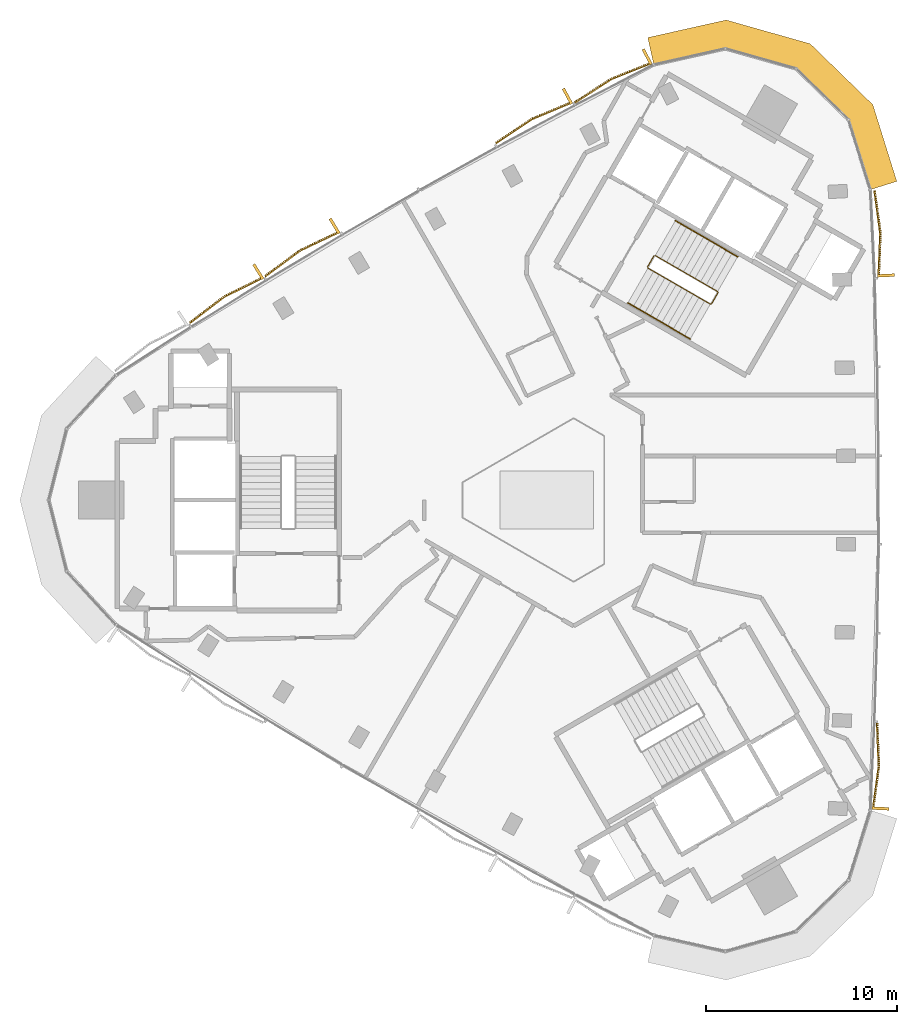
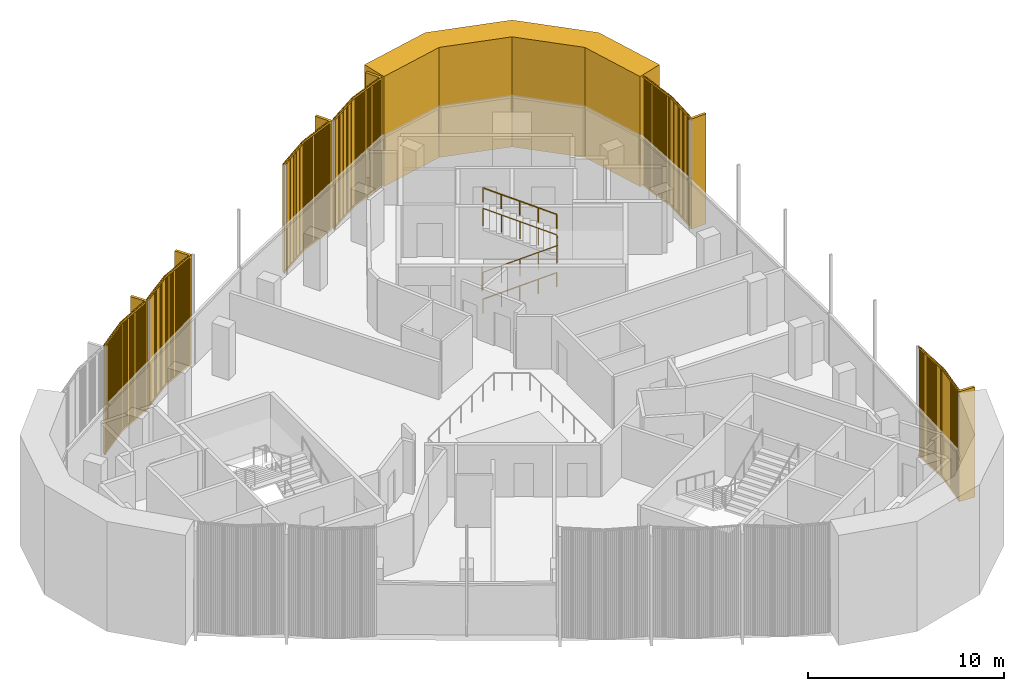
# One storey, part 12 of 12: 7 coverings, 3 railings.
"""IFC4 building model written with IfcOpenShell, lengths in metres."""

import ifcopenshell
import ifcopenshell.guid

model = None  # the IFC model being written
_history = None  # IfcOwnerHistory: only IFC2X3 demands one
_inside = {}  # id of a spatial element -> (the spatial element, [elements in it])
_under = {}  # id of a project, library or spatial element -> (it, [spatial elements below it])
_declared = {}  # id of a project -> (the project, [libraries it declares])
_typed = {}  # id of a type object -> (the type object, [elements of that type])
_made_of = {}  # id of a material, layer set ... -> (it, [elements and type objects made of it])


def new_model(schema):
    """Start an empty IFC model of exactly this schema.

    Asked for "IFC4X3", IfcOpenShell would pick the latest addendum, in which some entities
    have other attributes; the version numbers below select the first issue.
    IFC2X3 requires an IfcOwnerHistory on every rooted entity: one is made here for all.
    """
    global model, _history
    if schema == "IFC4X3":
        model = ifcopenshell.file(schema_version=(4, 3, 0, 0))
    else:
        model = ifcopenshell.file(schema=schema)
    _inside.clear()
    _under.clear()
    _declared.clear()
    _typed.clear()
    _made_of.clear()
    _history = None
    if model.schema == "IFC2X3":
        org = make("IfcOrganization", Name="unknown")
        user = make(
            "IfcPersonAndOrganization",
            ThePerson=make("IfcPerson", FamilyName="unknown"),
            TheOrganization=org,
        )
        app = make(
            "IfcApplication",
            ApplicationDeveloper=org,
            Version="unknown",
            ApplicationFullName="unknown",
            ApplicationIdentifier="unknown",
        )
        _history = make(
            "IfcOwnerHistory",
            OwningUser=user,
            OwningApplication=app,
            ChangeAction="ADDED",
            CreationDate=0,
        )
    return model


def make(cls, **values):
    """One entity of the class cls with the attributes given. An attribute that is None is left unset."""
    return model.create_entity(
        cls, **{name: value for name, value in values.items() if value is not None}
    )


def rooted(cls, **values):
    """An entity with a GlobalId (a new one), such as an element, a storey or a relation."""
    return make(cls, GlobalId=ifcopenshell.guid.new(), OwnerHistory=_history, **values)


def si_unit(unit_type, name, prefix=None):
    """IfcSIUnit, for example si_unit("LENGTHUNIT", "METRE", prefix="MILLI")."""
    return make("IfcSIUnit", UnitType=unit_type, Prefix=prefix, Name=name)


def assignment(units):
    """IfcUnitAssignment: the units of a project."""
    return None if units is None else make("IfcUnitAssignment", Units=units)


def point(xyz):
    """IfcCartesianPoint."""
    return None if xyz is None else make("IfcCartesianPoint", Coordinates=xyz)


def direction(xyz):
    """IfcDirection."""
    return None if xyz is None else make("IfcDirection", DirectionRatios=xyz)


def frame(location, z_axis=None, x_axis=None):
    """IfcAxis2Placement3D, a coordinate frame: its origin and axes. An axis left out is left unset."""
    return make(
        "IfcAxis2Placement3D",
        Location=point(location),
        Axis=direction(z_axis),
        RefDirection=direction(x_axis),
    )


def frame_2d(location, x_axis=None):
    """IfcAxis2Placement2D, a coordinate frame in the plane: its origin and x axis."""
    return make(
        "IfcAxis2Placement2D", Location=point(location), RefDirection=direction(x_axis)
    )


def origin():
    """The frame at (0, 0, 0) with its axes left unset."""
    return frame((0.0, 0.0, 0.0))


def origin_2d():
    """The frame at (0, 0) in the plane with its x axis left unset."""
    return frame_2d((0.0, 0.0))


def place(relative_to, where):
    """IfcLocalPlacement: puts the frame where relative to a parent placement (None: the world)."""
    return make(
        "IfcLocalPlacement", PlacementRelTo=relative_to, RelativePlacement=where
    )


def context(
    kind, dimensions, precision=None, world=None, true_north=None, identifier=None
):
    """IfcGeometricRepresentationContext, for example the 3D "Model" context."""
    return make(
        "IfcGeometricRepresentationContext",
        ContextIdentifier=identifier,
        ContextType=kind,
        CoordinateSpaceDimension=dimensions,
        Precision=precision,
        WorldCoordinateSystem=world,
        TrueNorth=true_north,
    )


def subcontext(parent, identifier, kind, view, scale=None):
    """IfcGeometricRepresentationSubContext, for example "Body" below "Model"."""
    return make(
        "IfcGeometricRepresentationSubContext",
        ContextIdentifier=identifier,
        ContextType=kind,
        ParentContext=parent,
        TargetScale=scale,
        TargetView=view,
    )


def project(units=None, contexts=None):
    """IfcProject with its units and contexts."""
    return rooted(
        "IfcProject",
        Name="project",
        RepresentationContexts=contexts,
        UnitsInContext=assignment(units),
    )


def spatial(cls, under=None, at=None, **own):
    """A site, building, storey or space (cls), placed at a placement, below another one or the project."""
    s = rooted(cls, ObjectPlacement=at, **own)
    if under is not None:
        _under.setdefault(under.id(), (under, []))[1].append(s)
    return s


def polyline(points):
    """IfcPolyline through the points."""
    return make("IfcPolyline", Points=[point(p) for p in points])


def profile(cls, at=None, kind="AREA", **sizes):
    """A parametric profile (cls). Its sizes go by their IFC names, for example OverallWidth=200.0."""
    return make(cls, ProfileType=kind, Position=at, **sizes)


def rectangle(**sizes):
    """IfcRectangleProfileDef."""
    return profile("IfcRectangleProfileDef", **sizes)


def circle(**sizes):
    """IfcCircleProfileDef."""
    return profile("IfcCircleProfileDef", **sizes)


def outline(outer, holes=None, kind="AREA"):
    """IfcArbitraryClosedProfileDef: a profile drawn as a closed curve; with holes, ...WithVoids."""
    if holes is None:
        return make("IfcArbitraryClosedProfileDef", ProfileType=kind, OuterCurve=outer)
    return make(
        "IfcArbitraryProfileDefWithVoids",
        ProfileType=kind,
        OuterCurve=outer,
        InnerCurves=holes,
    )


def extrude(swept, where, along, depth):
    """IfcExtrudedAreaSolid: the profile swept, set in the frame where, extruded along a direction by depth."""
    return make(
        "IfcExtrudedAreaSolid",
        SweptArea=swept,
        Position=where,
        ExtrudedDirection=direction(along),
        Depth=depth,
    )


def shape(context_of_items, identifier, shape_type, items):
    """IfcShapeRepresentation: the items that make up one representation, for example the "Body"."""
    return make(
        "IfcShapeRepresentation",
        ContextOfItems=context_of_items,
        RepresentationIdentifier=identifier,
        RepresentationType=shape_type,
        Items=items,
    )


def source(mapping_origin, context_of_items, identifier, shape_type, items):
    """IfcRepresentationMap: a shape defined once, which mapped items show again and again."""
    return make(
        "IfcRepresentationMap",
        MappingOrigin=mapping_origin,
        MappedRepresentation=shape(context_of_items, identifier, shape_type, items),
    )


def transform(
    local_origin,
    x_axis=None,
    y_axis=None,
    z_axis=None,
    scale=None,
    scale2=None,
    scale3=None,
    uniform=True,
):
    """IfcCartesianTransformationOperator3D, or its non-uniform kind. x_axis, y_axis, z_axis: its Axis1, 2, 3."""
    if uniform:
        return make(
            "IfcCartesianTransformationOperator3D",
            Axis1=direction(x_axis),
            Axis2=direction(y_axis),
            LocalOrigin=point(local_origin),
            Scale=scale,
            Axis3=direction(z_axis),
        )
    return make(
        "IfcCartesianTransformationOperator3DnonUniform",
        Axis1=direction(x_axis),
        Axis2=direction(y_axis),
        LocalOrigin=point(local_origin),
        Scale=scale,
        Axis3=direction(z_axis),
        Scale2=scale2,
        Scale3=scale3,
    )


def mapped(mapping_source, mapping_target):
    """IfcMappedItem: shows the shape of a source again, moved by a transform."""
    return make(
        "IfcMappedItem", MappingSource=mapping_source, MappingTarget=mapping_target
    )


def material(Name=None, Category=None):
    """IfcMaterial."""
    return make("IfcMaterial", Name=Name, Category=Category)


def layer(
    of_material, thickness, ventilated=None, Name=None, Category=None, Priority=None
):
    """IfcMaterialLayer: one layer of a wall or slab, of a material (None: an air gap)."""
    return make(
        "IfcMaterialLayer",
        Material=of_material,
        LayerThickness=thickness,
        IsVentilated=ventilated,
        Name=Name,
        Category=Category,
        Priority=Priority,
    )


def layer_set(layers, Name=None):
    """IfcMaterialLayerSet."""
    return make("IfcMaterialLayerSet", MaterialLayers=layers, LayerSetName=Name)


def made_of(thing, what):
    """Note that an element or type object is made of a material, layer set ...; save() writes the relation."""
    if what is not None:
        _made_of.setdefault(what.id(), (what, []))[1].append(thing)
    return thing


def type_object(cls, material=None, **own):
    """A type object (cls), such as IfcWallType, which elements share."""
    return made_of(rooted(cls, **own), material)


def element(
    cls,
    number,
    at=None,
    inside=None,
    cuts=None,
    type_object=None,
    material=None,
    context=None,
    identifier="Body",
    shape_type=None,
    held_by="IfcProductDefinitionShape",
    body=None,
    shapes=None,
    **own,
):
    """One element of the class cls, such as IfcWall. Its Tag is "e" and its number.

    at: its placement. inside: the storey or other place that contains it. cuts: it is an
    opening in that element (IfcRelVoidsElement). A single representation is given by context,
    identifier, shape_type and body (its items); several are given by shapes. held_by: the class
    of the entity that holds the representations. save() writes the other relations.
    """
    e = rooted(cls, Tag="e%d" % number, ObjectPlacement=at, **own)
    if body is not None:
        shapes = [shape(context, identifier, shape_type, body)]
    if shapes is not None:
        e.Representation = make(held_by, Representations=shapes)
    if inside is not None:
        _inside.setdefault(inside.id(), (inside, []))[1].append(e)
    if cuts is not None:
        rooted(
            "IfcRelVoidsElement", RelatingBuildingElement=cuts, RelatedOpeningElement=e
        )
    if type_object is not None:
        _typed.setdefault(type_object.id(), (type_object, []))[1].append(e)
    return made_of(e, material)


def aggregate(whole, parts):
    """IfcRelAggregates: a whole, such as a stair, and the parts it consists of."""
    return rooted("IfcRelAggregates", RelatingObject=whole, RelatedObjects=parts)


def save(model, path):
    """Write the relations noted so far, then the file.

    IfcRelAggregates (storeys below a building ...), IfcRelContainedInSpatialStructure (elements
    in a storey), IfcRelDefinesByType, IfcRelAssociatesMaterial and IfcRelDeclares: one each for
    every whole, place, type object, material and project.
    """
    for whole, parts in _under.values():
        aggregate(whole, parts)
    for where, things in _inside.values():
        rooted(
            "IfcRelContainedInSpatialStructure",
            RelatedElements=things,
            RelatingStructure=where,
        )
    for kind, things in _typed.values():
        rooted("IfcRelDefinesByType", RelatedObjects=things, RelatingType=kind)
    for what, things in _made_of.values():
        rooted("IfcRelAssociatesMaterial", RelatedObjects=things, RelatingMaterial=what)
    for by, libraries in _declared.values():
        rooted("IfcRelDeclares", RelatingContext=by, RelatedDefinitions=libraries)
    model.write(path)


model = new_model("IFC4")

# Units and contexts
model_context = context("Model", 3, precision=1e-05, world=origin(), true_north=direction((0.0, 1.0)))
body_context = subcontext(model_context, "Body", "Model", "MODEL_VIEW")
ifc_project = project(units=[si_unit("LENGTHUNIT", "METRE"), si_unit("AREAUNIT", "SQUARE_METRE"), si_unit("VOLUMEUNIT", "CUBIC_METRE"), si_unit("PLANEANGLEUNIT", "RADIAN"), si_unit("MASSUNIT", "GRAM", prefix="KILO")], contexts=[model_context])

# Site, building, storey
site_placement = place(None, origin())
site = spatial("IfcSite", under=ifc_project, at=site_placement, CompositionType="ELEMENT")
building_placement = place(site_placement, origin())
building = spatial("IfcBuilding", under=site, at=building_placement, Name="Tamra Quay Hotel Tower", CompositionType="ELEMENT")
storey_placement = place(building_placement, frame((0.0, 0.0, 262.199951171875)))
storey = spatial("IfcBuildingStorey", under=building, at=storey_placement, Name="L66", CompositionType="ELEMENT", Elevation=262.199951171875)

# Covering
ifc_material_1 = material(Name="Precast concrete M60 terracotta-coloured", Category="masonry")
ifc_layer = layer(ifc_material_1, 1.449951171875)
ifc_layer_set = layer_set([ifc_layer], Name="CORNER PIER PANEL")
covering_type_1 = type_object("IfcCoveringType", Name="CORNER PIER PANEL", PredefinedType="CLADDING", material=ifc_layer_set)
covering_placement = place(storey_placement, origin())
element("IfcCovering", 1, at=covering_placement, inside=storey, type_object=covering_type_1, Name="Corner pier L66.east", PredefinedType="CLADDING", context=body_context, shape_type="SweptSolid", body=[
    extrude(outline(polyline([(16.89990234375, 16.210205078125), (18.283935546875, 16.642822265625), (17.031494140625, 20.649169921875), (13.759521484375, 23.832275390625), (9.366943359375, 25.07421875), (5.271240234375, 24.15576171875), (5.58837890625, 22.740966796875), (9.325927734375, 23.5791015625), (13.01171875, 22.536865234375), (15.757080078125, 19.865966796875), (16.89990234375, 16.210205078125)])), origin(), (0.0, 0.0, 1.0), 6.85009765625),
])

# Railings
ifc_material_2 = material(Name="Stair guard 1100")
railing_type_1 = type_object("IfcRailingType", Name="Stair guard 1100", PredefinedType="GUARDRAIL", material=ifc_material_2)
railing_1_placement = place(storey_placement, frame((5.595458984375, 12.751953125, 0.0)))
element("IfcRailing", 2, at=railing_1_placement, inside=storey, type_object=railing_type_1, Name="GR", PredefinedType="GUARDRAIL", context=body_context, shape_type="SweptSolid", body=[
    extrude(circle(Radius=0.02392578125, at=origin_2d()), frame((0.0, 0.0, 1.076171875), z_axis=(-0.499765215335, -0.866160914346, 0.0), x_axis=(0.866160914346, -0.499765215335, 0.0)), (0.0, 0.0, 1.0), 0.658935546875),
    extrude(circle(Radius=0.02392578125, at=origin_2d()), frame((-0.329345703125, -0.57080078125, 1.076171875), z_axis=(0.110378772244, -0.410609032747, 0.905105932399), x_axis=(0.965715946433, 0.259601060869, 0.0)), (0.0, 0.0, 1.0), 0.165771484375),
    extrude(circle(Radius=0.02392578125, at=origin_2d()), frame((-0.31103515625, -0.638916015625, 1.22607421875), z_axis=(0.793078462799, -0.457933869594, 0.401650498471), x_axis=(0.500040788363, 0.866001853331, 0.0)), (0.0, 0.0, 1.0), 4.10791015625),
    extrude(circle(Radius=0.02392578125, at=origin_2d()), frame((2.94677734375, -2.52001953125, 2.8759765625), z_axis=(0.965948051503, 0.258736085224, 0.0), x_axis=(-0.258736085224, 0.965948051503, 0.0)), (0.0, 0.0, 1.0), 0.07080078125),
    extrude(circle(Radius=0.02392578125, at=origin_2d()), frame((3.01513671875, -2.501708984375, 2.8759765625), z_axis=(0.500043078269, 0.866000531106, 0.0), x_axis=(-0.866000531106, 0.500043078269, 0.0)), (0.0, 0.0, 1.0), 0.6591796875),
    extrude(circle(Radius=0.02392578125, at=origin_2d()), frame((3.3447265625, -1.930908203125, 2.8759765625), z_axis=(-0.110525977783, 0.411156637351, 0.904839338113), x_axis=(-0.965715946433, -0.259601060869, 0.0)), (0.0, 0.0, 1.0), 0.165771484375),
    extrude(circle(Radius=0.02392578125, at=origin_2d()), frame((3.326416015625, -1.86279296875, 3.02587890625), z_axis=(-0.793081581205, 0.457901355053, 0.401681409319), x_axis=(-0.500012686397, -0.866018079166, 0.0)), (0.0, 0.0, 1.0), 4.108154296875),
    extrude(circle(Radius=0.02099609375, at=origin_2d()), origin(), (0.0, 0.0, 1.0), 1.052001953125),
    extrude(circle(Radius=0.02099609375, at=origin_2d()), frame((-0.329345703125, -0.57080078125, 0.0)), (0.0, 0.0, 1.0), 1.052001953125),
    extrude(circle(Radius=0.02099609375, at=origin_2d()), frame((-0.31103515625, -0.638916015625, 0.150146484375)), (0.0, 0.0, 1.0), 1.052001953125),
    extrude(circle(Radius=0.02099609375, at=origin_2d()), frame((0.50341796875, -1.109130859375, 0.5625)), (0.0, 0.0, 1.0), 1.052001953125),
    extrude(circle(Radius=0.02099609375, at=origin_2d()), frame((1.31787109375, -1.57958984375, 0.97509765625)), (0.0, 0.0, 1.0), 1.052001953125),
    extrude(circle(Radius=0.02099609375, at=origin_2d()), frame((2.13232421875, -2.0498046875, 1.3876953125)), (0.0, 0.0, 1.0), 1.052001953125),
    extrude(circle(Radius=0.02099609375, at=origin_2d()), frame((2.94677734375, -2.52001953125, 1.800048828125)), (0.0, 0.0, 1.0), 1.052001953125),
    extrude(circle(Radius=0.02099609375, at=origin_2d()), frame((3.01513671875, -2.501708984375, 1.800048828125)), (0.0, 0.0, 1.0), 1.052001953125),
    extrude(circle(Radius=0.02099609375, at=origin_2d()), frame((3.3447265625, -1.930908203125, 1.800048828125)), (0.0, 0.0, 1.0), 1.052001953125),
    extrude(circle(Radius=0.02099609375, at=origin_2d()), frame((3.326416015625, -1.86279296875, 1.949951171875)), (0.0, 0.0, 1.0), 1.052001953125),
    extrude(circle(Radius=0.02099609375, at=origin_2d()), frame((2.511962890625, -1.392578125, 2.362548828125)), (0.0, 0.0, 1.0), 1.052001953125),
    extrude(circle(Radius=0.02099609375, at=origin_2d()), frame((1.697265625, -0.92236328125, 2.77490234375)), (0.0, 0.0, 1.0), 1.052001953125),
    extrude(circle(Radius=0.02099609375, at=origin_2d()), frame((0.8828125, -0.451904296875, 3.1875)), (0.0, 0.0, 1.0), 1.052001953125),
    extrude(circle(Radius=0.02099609375, at=origin_2d()), frame((0.068359375, 0.018310546875, 3.60009765625)), (0.0, 0.0, 1.0), 1.052001953125),
])
ifc_material_3 = material(Name="Stair handrail 900")
railing_type_2 = type_object("IfcRailingType", Name="Stair handrail 900", PredefinedType="HANDRAIL", material=ifc_material_3)
railing_2_placement = place(storey_placement, frame((4.234375, 10.294189453125, 0.150146484375)))
element("IfcRailing", 3, at=railing_2_placement, inside=storey, type_object=railing_type_2, Name="HR", PredefinedType="HANDRAIL", context=body_context, shape_type="SweptSolid", body=[
    extrude(circle(Radius=0.02392578125, at=origin_2d()), frame((0.0, 0.0, 0.8759765625), z_axis=(0.793122095483, -0.45786531462, 0.401642496911), x_axis=(0.499964013922, 0.86604617936, 0.0)), (0.0, 0.0, 1.0), 4.10791015625),
    extrude(circle(Radius=0.02099609375, at=origin_2d()), origin(), (0.0, 0.0, 1.0), 0.851806640625),
    extrude(circle(Radius=0.02099609375, at=origin_2d()), frame((0.814453125, -0.47021484375, 0.41259765625)), (0.0, 0.0, 1.0), 0.851806640625),
    extrude(circle(Radius=0.02099609375, at=origin_2d()), frame((1.62890625, -0.9404296875, 0.824951171875)), (0.0, 0.0, 1.0), 0.851806640625),
    extrude(circle(Radius=0.02099609375, at=origin_2d()), frame((2.443603515625, -1.41064453125, 1.2373046875)), (0.0, 0.0, 1.0), 0.851806640625),
    extrude(circle(Radius=0.02099609375, at=origin_2d()), frame((3.258056640625, -1.880859375, 1.64990234375)), (0.0, 0.0, 1.0), 0.851806640625),
])
railing_3_placement = place(storey_placement, frame((9.971923828125, 12.7080078125, 1.949951171875)))
element("IfcRailing", 4, at=railing_3_placement, inside=storey, type_object=railing_type_2, Name="HR", PredefinedType="HANDRAIL", context=body_context, shape_type="SweptSolid", body=[
    extrude(circle(Radius=0.02392578125, at=origin_2d()), frame((0.0, 0.0, 0.8759765625), z_axis=(-0.793103162556, 0.457854384738, 0.401692339881), x_axis=(-0.499964013922, -0.86604617936, 0.0)), (0.0, 0.0, 1.0), 4.10791015625),
    extrude(circle(Radius=0.02099609375, at=origin_2d()), origin(), (0.0, 0.0, 1.0), 0.851806640625),
    extrude(circle(Radius=0.02099609375, at=origin_2d()), frame((-0.814453125, 0.47021484375, 0.41259765625)), (0.0, 0.0, 1.0), 0.851806640625),
    extrude(circle(Radius=0.02099609375, at=origin_2d()), frame((-1.62890625, 0.9404296875, 0.8251953125)), (0.0, 0.0, 1.0), 0.851806640625),
    extrude(circle(Radius=0.02099609375, at=origin_2d()), frame((-2.443603515625, 1.41064453125, 1.237548828125)), (0.0, 0.0, 1.0), 0.851806640625),
    extrude(circle(Radius=0.02099609375, at=origin_2d()), frame((-3.258056640625, 1.880859375, 1.650146484375)), (0.0, 0.0, 1.0), 0.851806640625),
])

# Coverings
ifc_material_4 = material(Name="Terracotta baguette extruded", Category="masonry")
covering_type_2 = type_object("IfcCoveringType", Name="BAGUETTE SCREEN E-V H6850", PredefinedType="USERDEFINED", material=ifc_material_4)
shared_shape_1 = source(origin(), body_context, "Body", "SweptSolid", [
    extrude(rectangle(XDim=2.28125, YDim=0.06005859375, at=frame_2d((1.140625, 0.030029296875))), frame((-2.27783203125, -0.057861328125, -0.1201171875), z_axis=(0.0, 0.0, 1.0), x_axis=(0.996194698092, -0.087155742748, 0.0)), (0.0, 0.0, 1.0), 0.1201171875),
    extrude(rectangle(XDim=2.28125, YDim=0.06005859375, at=frame_2d((1.140625, 0.030029296875))), frame((-2.27783203125, -0.057861328125, -6.85009765625), z_axis=(0.0, 0.0, 1.0), x_axis=(0.996194698092, -0.087155742748, 0.0)), (0.0, 0.0, 1.0), 0.1201171875),
    extrude(rectangle(XDim=0.070068359375, YDim=0.10009765625, at=frame_2d((0.03515625, 0.050048828125))), frame((-2.258056640625, -0.13232421875, -6.7900390625)), (0.0, 0.0, 1.0), 6.72998046875),
    extrude(rectangle(XDim=0.070068359375, YDim=0.10009765625, at=frame_2d((0.03515625, 0.050048828125))), frame((-2.1591796875, -0.140869140625, -6.7900390625)), (0.0, 0.0, 1.0), 6.72998046875),
    extrude(rectangle(XDim=0.070068359375, YDim=0.10009765625, at=frame_2d((0.03515625, 0.050048828125))), frame((-2.060546875, -0.149658203125, -6.7900390625)), (0.0, 0.0, 1.0), 6.72998046875),
    extrude(rectangle(XDim=0.070068359375, YDim=0.10009765625, at=frame_2d((0.03515625, 0.050048828125))), frame((-1.961669921875, -0.158203125, -6.7900390625)), (0.0, 0.0, 1.0), 6.72998046875),
    extrude(rectangle(XDim=0.070068359375, YDim=0.10009765625, at=frame_2d((0.03515625, 0.050048828125))), frame((-1.86279296875, -0.1669921875, -6.7900390625)), (0.0, 0.0, 1.0), 6.72998046875),
    extrude(rectangle(XDim=0.070068359375, YDim=0.10009765625, at=frame_2d((0.03515625, 0.050048828125))), frame((-1.76416015625, -0.175537109375, -6.7900390625)), (0.0, 0.0, 1.0), 6.72998046875),
    extrude(rectangle(XDim=0.070068359375, YDim=0.10009765625, at=frame_2d((0.03515625, 0.050048828125))), frame((-1.665283203125, -0.18408203125, -6.7900390625)), (0.0, 0.0, 1.0), 6.72998046875),
    extrude(rectangle(XDim=0.070068359375, YDim=0.10009765625, at=frame_2d((0.03515625, 0.050048828125))), frame((-1.56640625, -0.19287109375, -6.7900390625)), (0.0, 0.0, 1.0), 6.72998046875),
    extrude(rectangle(XDim=0.070068359375, YDim=0.10009765625, at=frame_2d((0.03515625, 0.050048828125))), frame((-1.4677734375, -0.201416015625, -6.7900390625)), (0.0, 0.0, 1.0), 6.72998046875),
    extrude(rectangle(XDim=0.070068359375, YDim=0.10009765625, at=frame_2d((0.03515625, 0.050048828125))), frame((-1.368896484375, -0.210205078125, -6.7900390625)), (0.0, 0.0, 1.0), 6.72998046875),
    extrude(rectangle(XDim=0.070068359375, YDim=0.10009765625, at=frame_2d((0.03515625, 0.050048828125))), frame((-1.27001953125, -0.21875, -6.7900390625)), (0.0, 0.0, 1.0), 6.72998046875),
    extrude(rectangle(XDim=0.070068359375, YDim=0.10009765625, at=frame_2d((0.03515625, 0.050048828125))), frame((-1.171142578125, -0.227294921875, -6.7900390625)), (0.0, 0.0, 1.0), 6.72998046875),
    extrude(rectangle(XDim=0.070068359375, YDim=0.10009765625, at=frame_2d((0.03515625, 0.050048828125))), frame((-1.072509765625, -0.236083984375, -6.7900390625)), (0.0, 0.0, 1.0), 6.72998046875),
    extrude(rectangle(XDim=0.070068359375, YDim=0.10009765625, at=frame_2d((0.03515625, 0.050048828125))), frame((-0.9736328125, -0.24462890625, -6.7900390625)), (0.0, 0.0, 1.0), 6.72998046875),
    extrude(rectangle(XDim=0.070068359375, YDim=0.10009765625, at=frame_2d((0.03515625, 0.050048828125))), frame((-0.874755859375, -0.25341796875, -6.7900390625)), (0.0, 0.0, 1.0), 6.72998046875),
    extrude(rectangle(XDim=0.070068359375, YDim=0.10009765625, at=frame_2d((0.03515625, 0.050048828125))), frame((-0.776123046875, -0.261962890625, -6.7900390625)), (0.0, 0.0, 1.0), 6.72998046875),
    extrude(rectangle(XDim=0.070068359375, YDim=0.10009765625, at=frame_2d((0.03515625, 0.050048828125))), frame((-0.67724609375, -0.270751953125, -6.7900390625)), (0.0, 0.0, 1.0), 6.72998046875),
    extrude(rectangle(XDim=0.070068359375, YDim=0.10009765625, at=frame_2d((0.03515625, 0.050048828125))), frame((-0.578369140625, -0.279296875, -6.7900390625)), (0.0, 0.0, 1.0), 6.72998046875),
    extrude(rectangle(XDim=0.070068359375, YDim=0.10009765625, at=frame_2d((0.03515625, 0.050048828125))), frame((-0.479736328125, -0.287841796875, -6.7900390625)), (0.0, 0.0, 1.0), 6.72998046875),
    extrude(rectangle(XDim=0.070068359375, YDim=0.10009765625, at=frame_2d((0.03515625, 0.050048828125))), frame((-0.380859375, -0.296630859375, -6.7900390625)), (0.0, 0.0, 1.0), 6.72998046875),
    extrude(rectangle(XDim=0.070068359375, YDim=0.10009765625, at=frame_2d((0.03515625, 0.050048828125))), frame((-0.281982421875, -0.30517578125, -6.7900390625)), (0.0, 0.0, 1.0), 6.72998046875),
    extrude(rectangle(XDim=0.070068359375, YDim=0.10009765625, at=frame_2d((0.03515625, 0.050048828125))), frame((-0.18310546875, -0.31396484375, -6.7900390625)), (0.0, 0.0, 1.0), 6.72998046875),
    extrude(rectangle(XDim=0.070068359375, YDim=0.10009765625, at=frame_2d((0.03515625, 0.050048828125))), frame((-0.08447265625, -0.322509765625, -6.7900390625)), (0.0, 0.0, 1.0), 6.72998046875),
    extrude(rectangle(XDim=2.28125, YDim=0.06005859375, at=frame_2d((1.140625, 0.030029296875))), frame((0.005126953125, -0.256591796875, -0.1201171875), z_axis=(0.0, 0.0, 1.0), x_axis=(0.996194698092, 0.087155742748, 0.0)), (0.0, 0.0, 1.0), 0.1201171875),
    extrude(rectangle(XDim=2.28125, YDim=0.06005859375, at=frame_2d((1.140625, 0.030029296875))), frame((0.005126953125, -0.256591796875, -6.85009765625), z_axis=(0.0, 0.0, 1.0), x_axis=(0.996194698092, 0.087155742748, 0.0)), (0.0, 0.0, 1.0), 0.1201171875),
    extrude(rectangle(XDim=0.070068359375, YDim=0.10009765625, at=frame_2d((0.03515625, 0.050048828125))), frame((0.014404296875, -0.322509765625, -6.7900390625)), (0.0, 0.0, 1.0), 6.72998046875),
    extrude(rectangle(XDim=0.070068359375, YDim=0.10009765625, at=frame_2d((0.03515625, 0.050048828125))), frame((0.11328125, -0.31396484375, -6.7900390625)), (0.0, 0.0, 1.0), 6.72998046875),
    extrude(rectangle(XDim=0.070068359375, YDim=0.10009765625, at=frame_2d((0.03515625, 0.050048828125))), frame((0.2119140625, -0.30517578125, -6.7900390625)), (0.0, 0.0, 1.0), 6.72998046875),
    extrude(rectangle(XDim=0.070068359375, YDim=0.10009765625, at=frame_2d((0.03515625, 0.050048828125))), frame((0.310791015625, -0.296630859375, -6.7900390625)), (0.0, 0.0, 1.0), 6.72998046875),
    extrude(rectangle(XDim=0.070068359375, YDim=0.10009765625, at=frame_2d((0.03515625, 0.050048828125))), frame((0.40966796875, -0.287841796875, -6.7900390625)), (0.0, 0.0, 1.0), 6.72998046875),
    extrude(rectangle(XDim=0.070068359375, YDim=0.10009765625, at=frame_2d((0.03515625, 0.050048828125))), frame((0.50830078125, -0.279296875, -6.7900390625)), (0.0, 0.0, 1.0), 6.72998046875),
    extrude(rectangle(XDim=0.070068359375, YDim=0.10009765625, at=frame_2d((0.03515625, 0.050048828125))), frame((0.607177734375, -0.270751953125, -6.7900390625)), (0.0, 0.0, 1.0), 6.72998046875),
    extrude(rectangle(XDim=0.070068359375, YDim=0.10009765625, at=frame_2d((0.03515625, 0.050048828125))), frame((0.7060546875, -0.261962890625, -6.7900390625)), (0.0, 0.0, 1.0), 6.72998046875),
    extrude(rectangle(XDim=0.070068359375, YDim=0.10009765625, at=frame_2d((0.03515625, 0.050048828125))), frame((0.804931640625, -0.25341796875, -6.7900390625)), (0.0, 0.0, 1.0), 6.72998046875),
    extrude(rectangle(XDim=0.070068359375, YDim=0.10009765625, at=frame_2d((0.03515625, 0.050048828125))), frame((0.903564453125, -0.24462890625, -6.7900390625)), (0.0, 0.0, 1.0), 6.72998046875),
    extrude(rectangle(XDim=0.070068359375, YDim=0.10009765625, at=frame_2d((0.03515625, 0.050048828125))), frame((1.00244140625, -0.236083984375, -6.7900390625)), (0.0, 0.0, 1.0), 6.72998046875),
    extrude(rectangle(XDim=0.070068359375, YDim=0.10009765625, at=frame_2d((0.03515625, 0.050048828125))), frame((1.101318359375, -0.227294921875, -6.7900390625)), (0.0, 0.0, 1.0), 6.72998046875),
    extrude(rectangle(XDim=0.070068359375, YDim=0.10009765625, at=frame_2d((0.03515625, 0.050048828125))), frame((1.199951171875, -0.21875, -6.7900390625)), (0.0, 0.0, 1.0), 6.72998046875),
    extrude(rectangle(XDim=0.070068359375, YDim=0.10009765625, at=frame_2d((0.03515625, 0.050048828125))), frame((1.298828125, -0.210205078125, -6.7900390625)), (0.0, 0.0, 1.0), 6.72998046875),
    extrude(rectangle(XDim=0.070068359375, YDim=0.10009765625, at=frame_2d((0.03515625, 0.050048828125))), frame((1.397705078125, -0.201416015625, -6.7900390625)), (0.0, 0.0, 1.0), 6.72998046875),
    extrude(rectangle(XDim=0.070068359375, YDim=0.10009765625, at=frame_2d((0.03515625, 0.050048828125))), frame((1.49658203125, -0.19287109375, -6.7900390625)), (0.0, 0.0, 1.0), 6.72998046875),
    extrude(rectangle(XDim=0.070068359375, YDim=0.10009765625, at=frame_2d((0.03515625, 0.050048828125))), frame((1.59521484375, -0.18408203125, -6.7900390625)), (0.0, 0.0, 1.0), 6.72998046875),
    extrude(rectangle(XDim=0.070068359375, YDim=0.10009765625, at=frame_2d((0.03515625, 0.050048828125))), frame((1.694091796875, -0.175537109375, -6.7900390625)), (0.0, 0.0, 1.0), 6.72998046875),
    extrude(rectangle(XDim=0.070068359375, YDim=0.10009765625, at=frame_2d((0.03515625, 0.050048828125))), frame((1.79296875, -0.1669921875, -6.7900390625)), (0.0, 0.0, 1.0), 6.72998046875),
    extrude(rectangle(XDim=0.070068359375, YDim=0.10009765625, at=frame_2d((0.03515625, 0.050048828125))), frame((1.8916015625, -0.158203125, -6.7900390625)), (0.0, 0.0, 1.0), 6.72998046875),
    extrude(rectangle(XDim=0.070068359375, YDim=0.10009765625, at=frame_2d((0.03515625, 0.050048828125))), frame((1.990478515625, -0.149658203125, -6.7900390625)), (0.0, 0.0, 1.0), 6.72998046875),
    extrude(rectangle(XDim=0.070068359375, YDim=0.10009765625, at=frame_2d((0.03515625, 0.050048828125))), frame((2.08935546875, -0.140869140625, -6.7900390625)), (0.0, 0.0, 1.0), 6.72998046875),
    extrude(rectangle(XDim=0.070068359375, YDim=0.10009765625, at=frame_2d((0.03515625, 0.050048828125))), frame((2.18798828125, -0.13232421875, -6.7900390625)), (0.0, 0.0, 1.0), 6.72998046875),
    extrude(rectangle(XDim=0.14990234375, YDim=0.902099609375, at=frame_2d((0.074951171875, 0.451171875))), frame((-2.2724609375, -0.89990234375, -6.85009765625)), (0.0, 0.0, 1.0), 6.85009765625),
])
for number, where, z_axis, x_axis, name in (
    (5, (17.08642578125, -13.899169921875, 6.85009765625), (0.0, 0.0, 1.0), (0.04682126455, 0.998903283199, 0.0), "Baguette screen L66.E.f00"),
    (6, (17.166259765625, 13.903076171875, 6.85009765625), (0.0, 0.0, 1.0), (-0.04682126455, 0.998903283199, 0.0), "Baguette screen L66.E.f06"),
):
    element("IfcCovering", number, at=place(storey_placement, frame(where, z_axis=z_axis, x_axis=x_axis)), inside=storey, type_object=covering_type_2, Name=name, ObjectType="BAGUETTE SCREEN", PredefinedType="USERDEFINED", context=body_context, shape_type="MappedRepresentation", body=[
        mapped(shared_shape_1, transform((0.0, 0.0, 0.0), scale=1.0)),
    ])
covering_type_3 = type_object("IfcCoveringType", Name="BAGUETTE SCREEN NW-V H6850", PredefinedType="USERDEFINED", material=ifc_material_4)
shared_shape_2 = source(origin(), body_context, "Body", "SweptSolid", [
    extrude(rectangle(XDim=2.282958984375, YDim=0.06005859375, at=frame_2d((1.1416015625, 0.030029296875))), frame((-2.2783203125, -0.0576171875, -0.1201171875), z_axis=(0.0, 0.0, 1.0), x_axis=(0.995396198367, -0.09584575252, 0.0)), (0.0, 0.0, 1.0), 0.1201171875),
    extrude(rectangle(XDim=2.282958984375, YDim=0.06005859375, at=frame_2d((1.1416015625, 0.030029296875))), frame((-2.2783203125, -0.0576171875, -6.85009765625), z_axis=(0.0, 0.0, 1.0), x_axis=(0.995396198367, -0.09584575252, 0.0)), (0.0, 0.0, 1.0), 0.1201171875),
    extrude(rectangle(XDim=0.070068359375, YDim=0.10009765625, at=frame_2d((0.03515625, 0.050048828125))), frame((-2.258056640625, -0.1328125, -6.7900390625)), (0.0, 0.0, 1.0), 6.72998046875),
    extrude(rectangle(XDim=0.070068359375, YDim=0.10009765625, at=frame_2d((0.03515625, 0.050048828125))), frame((-2.1591796875, -0.142333984375, -6.7900390625)), (0.0, 0.0, 1.0), 6.72998046875),
    extrude(rectangle(XDim=0.070068359375, YDim=0.10009765625, at=frame_2d((0.03515625, 0.050048828125))), frame((-2.060546875, -0.15185546875, -6.7900390625)), (0.0, 0.0, 1.0), 6.72998046875),
    extrude(rectangle(XDim=0.070068359375, YDim=0.10009765625, at=frame_2d((0.03515625, 0.050048828125))), frame((-1.961669921875, -0.161376953125, -6.7900390625)), (0.0, 0.0, 1.0), 6.72998046875),
    extrude(rectangle(XDim=0.070068359375, YDim=0.10009765625, at=frame_2d((0.03515625, 0.050048828125))), frame((-1.86279296875, -0.1708984375, -6.7900390625)), (0.0, 0.0, 1.0), 6.72998046875),
    extrude(rectangle(XDim=0.070068359375, YDim=0.10009765625, at=frame_2d((0.03515625, 0.050048828125))), frame((-1.76416015625, -0.180419921875, -6.7900390625)), (0.0, 0.0, 1.0), 6.72998046875),
    extrude(rectangle(XDim=0.070068359375, YDim=0.10009765625, at=frame_2d((0.03515625, 0.050048828125))), frame((-1.665283203125, -0.18994140625, -6.7900390625)), (0.0, 0.0, 1.0), 6.72998046875),
    extrude(rectangle(XDim=0.070068359375, YDim=0.10009765625, at=frame_2d((0.03515625, 0.050048828125))), frame((-1.56640625, -0.199462890625, -6.7900390625)), (0.0, 0.0, 1.0), 6.72998046875),
    extrude(rectangle(XDim=0.070068359375, YDim=0.10009765625, at=frame_2d((0.03515625, 0.050048828125))), frame((-1.4677734375, -0.208984375, -6.7900390625)), (0.0, 0.0, 1.0), 6.72998046875),
    extrude(rectangle(XDim=0.070068359375, YDim=0.10009765625, at=frame_2d((0.03515625, 0.050048828125))), frame((-1.368896484375, -0.21826171875, -6.7900390625)), (0.0, 0.0, 1.0), 6.72998046875),
    extrude(rectangle(XDim=0.070068359375, YDim=0.10009765625, at=frame_2d((0.03515625, 0.050048828125))), frame((-1.27001953125, -0.227783203125, -6.7900390625)), (0.0, 0.0, 1.0), 6.72998046875),
    extrude(rectangle(XDim=0.070068359375, YDim=0.10009765625, at=frame_2d((0.03515625, 0.050048828125))), frame((-1.171142578125, -0.2373046875, -6.7900390625)), (0.0, 0.0, 1.0), 6.72998046875),
    extrude(rectangle(XDim=0.070068359375, YDim=0.10009765625, at=frame_2d((0.03515625, 0.050048828125))), frame((-1.072509765625, -0.246826171875, -6.7900390625)), (0.0, 0.0, 1.0), 6.72998046875),
    extrude(rectangle(XDim=0.070068359375, YDim=0.10009765625, at=frame_2d((0.03515625, 0.050048828125))), frame((-0.9736328125, -0.25634765625, -6.7900390625)), (0.0, 0.0, 1.0), 6.72998046875),
    extrude(rectangle(XDim=0.070068359375, YDim=0.10009765625, at=frame_2d((0.03515625, 0.050048828125))), frame((-0.874755859375, -0.265869140625, -6.7900390625)), (0.0, 0.0, 1.0), 6.72998046875),
    extrude(rectangle(XDim=0.070068359375, YDim=0.10009765625, at=frame_2d((0.03515625, 0.050048828125))), frame((-0.776123046875, -0.275390625, -6.7900390625)), (0.0, 0.0, 1.0), 6.72998046875),
    extrude(rectangle(XDim=0.070068359375, YDim=0.10009765625, at=frame_2d((0.03515625, 0.050048828125))), frame((-0.67724609375, -0.284912109375, -6.7900390625)), (0.0, 0.0, 1.0), 6.72998046875),
    extrude(rectangle(XDim=0.070068359375, YDim=0.10009765625, at=frame_2d((0.03515625, 0.050048828125))), frame((-0.578369140625, -0.29443359375, -6.7900390625)), (0.0, 0.0, 1.0), 6.72998046875),
    extrude(rectangle(XDim=0.070068359375, YDim=0.10009765625, at=frame_2d((0.03515625, 0.050048828125))), frame((-0.479736328125, -0.303955078125, -6.7900390625)), (0.0, 0.0, 1.0), 6.72998046875),
    extrude(rectangle(XDim=0.070068359375, YDim=0.10009765625, at=frame_2d((0.03515625, 0.050048828125))), frame((-0.380859375, -0.3134765625, -6.7900390625)), (0.0, 0.0, 1.0), 6.72998046875),
    extrude(rectangle(XDim=0.070068359375, YDim=0.10009765625, at=frame_2d((0.03515625, 0.050048828125))), frame((-0.281982421875, -0.322998046875, -6.7900390625)), (0.0, 0.0, 1.0), 6.72998046875),
    extrude(rectangle(XDim=0.070068359375, YDim=0.10009765625, at=frame_2d((0.03515625, 0.050048828125))), frame((-0.18310546875, -0.33251953125, -6.7900390625)), (0.0, 0.0, 1.0), 6.72998046875),
    extrude(rectangle(XDim=0.070068359375, YDim=0.10009765625, at=frame_2d((0.03515625, 0.050048828125))), frame((-0.08447265625, -0.342041015625, -6.7900390625)), (0.0, 0.0, 1.0), 6.72998046875),
    extrude(rectangle(XDim=2.282958984375, YDim=0.06005859375, at=frame_2d((1.1416015625, 0.030029296875))), frame((0.005859375, -0.276611328125, -0.1201171875), z_axis=(0.0, 0.0, 1.0), x_axis=(0.995396198367, 0.09584575252, 0.0)), (0.0, 0.0, 1.0), 0.1201171875),
    extrude(rectangle(XDim=2.282958984375, YDim=0.06005859375, at=frame_2d((1.1416015625, 0.030029296875))), frame((0.005859375, -0.276611328125, -6.85009765625), z_axis=(0.0, 0.0, 1.0), x_axis=(0.995396198367, 0.09584575252, 0.0)), (0.0, 0.0, 1.0), 0.1201171875),
    extrude(rectangle(XDim=0.070068359375, YDim=0.10009765625, at=frame_2d((0.03515625, 0.050048828125))), frame((0.014404296875, -0.342041015625, -6.7900390625)), (0.0, 0.0, 1.0), 6.72998046875),
    extrude(rectangle(XDim=0.070068359375, YDim=0.10009765625, at=frame_2d((0.03515625, 0.050048828125))), frame((0.11328125, -0.33251953125, -6.7900390625)), (0.0, 0.0, 1.0), 6.72998046875),
    extrude(rectangle(XDim=0.070068359375, YDim=0.10009765625, at=frame_2d((0.03515625, 0.050048828125))), frame((0.2119140625, -0.322998046875, -6.7900390625)), (0.0, 0.0, 1.0), 6.72998046875),
    extrude(rectangle(XDim=0.070068359375, YDim=0.10009765625, at=frame_2d((0.03515625, 0.050048828125))), frame((0.310791015625, -0.3134765625, -6.7900390625)), (0.0, 0.0, 1.0), 6.72998046875),
    extrude(rectangle(XDim=0.070068359375, YDim=0.10009765625, at=frame_2d((0.03515625, 0.050048828125))), frame((0.40966796875, -0.303955078125, -6.7900390625)), (0.0, 0.0, 1.0), 6.72998046875),
    extrude(rectangle(XDim=0.070068359375, YDim=0.10009765625, at=frame_2d((0.03515625, 0.050048828125))), frame((0.50830078125, -0.29443359375, -6.7900390625)), (0.0, 0.0, 1.0), 6.72998046875),
    extrude(rectangle(XDim=0.070068359375, YDim=0.10009765625, at=frame_2d((0.03515625, 0.050048828125))), frame((0.607177734375, -0.284912109375, -6.7900390625)), (0.0, 0.0, 1.0), 6.72998046875),
    extrude(rectangle(XDim=0.070068359375, YDim=0.10009765625, at=frame_2d((0.03515625, 0.050048828125))), frame((0.7060546875, -0.275390625, -6.7900390625)), (0.0, 0.0, 1.0), 6.72998046875),
    extrude(rectangle(XDim=0.070068359375, YDim=0.10009765625, at=frame_2d((0.03515625, 0.050048828125))), frame((0.804931640625, -0.265869140625, -6.7900390625)), (0.0, 0.0, 1.0), 6.72998046875),
    extrude(rectangle(XDim=0.070068359375, YDim=0.10009765625, at=frame_2d((0.03515625, 0.050048828125))), frame((0.903564453125, -0.25634765625, -6.7900390625)), (0.0, 0.0, 1.0), 6.72998046875),
    extrude(rectangle(XDim=0.070068359375, YDim=0.10009765625, at=frame_2d((0.03515625, 0.050048828125))), frame((1.00244140625, -0.246826171875, -6.7900390625)), (0.0, 0.0, 1.0), 6.72998046875),
    extrude(rectangle(XDim=0.070068359375, YDim=0.10009765625, at=frame_2d((0.03515625, 0.050048828125))), frame((1.101318359375, -0.2373046875, -6.7900390625)), (0.0, 0.0, 1.0), 6.72998046875),
    extrude(rectangle(XDim=0.070068359375, YDim=0.10009765625, at=frame_2d((0.03515625, 0.050048828125))), frame((1.199951171875, -0.227783203125, -6.7900390625)), (0.0, 0.0, 1.0), 6.72998046875),
    extrude(rectangle(XDim=0.070068359375, YDim=0.10009765625, at=frame_2d((0.03515625, 0.050048828125))), frame((1.298828125, -0.21826171875, -6.7900390625)), (0.0, 0.0, 1.0), 6.72998046875),
    extrude(rectangle(XDim=0.070068359375, YDim=0.10009765625, at=frame_2d((0.03515625, 0.050048828125))), frame((1.397705078125, -0.208984375, -6.7900390625)), (0.0, 0.0, 1.0), 6.72998046875),
    extrude(rectangle(XDim=0.070068359375, YDim=0.10009765625, at=frame_2d((0.03515625, 0.050048828125))), frame((1.49658203125, -0.199462890625, -6.7900390625)), (0.0, 0.0, 1.0), 6.72998046875),
    extrude(rectangle(XDim=0.070068359375, YDim=0.10009765625, at=frame_2d((0.03515625, 0.050048828125))), frame((1.59521484375, -0.18994140625, -6.7900390625)), (0.0, 0.0, 1.0), 6.72998046875),
    extrude(rectangle(XDim=0.070068359375, YDim=0.10009765625, at=frame_2d((0.03515625, 0.050048828125))), frame((1.694091796875, -0.180419921875, -6.7900390625)), (0.0, 0.0, 1.0), 6.72998046875),
    extrude(rectangle(XDim=0.070068359375, YDim=0.10009765625, at=frame_2d((0.03515625, 0.050048828125))), frame((1.79296875, -0.1708984375, -6.7900390625)), (0.0, 0.0, 1.0), 6.72998046875),
    extrude(rectangle(XDim=0.070068359375, YDim=0.10009765625, at=frame_2d((0.03515625, 0.050048828125))), frame((1.8916015625, -0.161376953125, -6.7900390625)), (0.0, 0.0, 1.0), 6.72998046875),
    extrude(rectangle(XDim=0.070068359375, YDim=0.10009765625, at=frame_2d((0.03515625, 0.050048828125))), frame((1.990478515625, -0.15185546875, -6.7900390625)), (0.0, 0.0, 1.0), 6.72998046875),
    extrude(rectangle(XDim=0.070068359375, YDim=0.10009765625, at=frame_2d((0.03515625, 0.050048828125))), frame((2.08935546875, -0.142333984375, -6.7900390625)), (0.0, 0.0, 1.0), 6.72998046875),
    extrude(rectangle(XDim=0.070068359375, YDim=0.10009765625, at=frame_2d((0.03515625, 0.050048828125))), frame((2.18798828125, -0.1328125, -6.7900390625)), (0.0, 0.0, 1.0), 6.72998046875),
    extrude(rectangle(XDim=0.14990234375, YDim=0.902099609375, at=frame_2d((0.074951171875, 0.451171875))), frame((-2.2724609375, -0.89990234375, -6.85009765625)), (0.0, 0.0, 1.0), 6.85009765625),
])
for number, where, z_axis, x_axis, name in (
    (7, (3.493896484375, 21.746826171875, 6.85009765625), (0.0, 0.0, 1.0), (-0.888486251449, -0.458903237062, 0.0), "Baguette screen L66.NW.f00"),
    (8, (-0.64501953125, 19.658447265625, 6.85009765625), (0.0, 0.0, 1.0), (-0.88122356057, -0.472699731644, 0.0), "Baguette screen L66.NW.f01"),
    (9, (-12.742919921875, 12.799072265625, 6.85009765625), (0.0, 0.0, 1.0), (-0.85810338385, -0.513476954327, 0.0), "Baguette screen L66.NW.f04"),
    (10, (-16.7021484375, 10.387939453125, 6.85009765625), (0.0, 0.0, 1.0), (-0.849981756251, -0.526812124045, 0.0), "Baguette screen L66.NW.f05"),
):
    element("IfcCovering", number, at=place(storey_placement, frame(where, z_axis=z_axis, x_axis=x_axis)), inside=storey, type_object=covering_type_3, Name=name, ObjectType="BAGUETTE SCREEN", PredefinedType="USERDEFINED", context=body_context, shape_type="MappedRepresentation", body=[
        mapped(shared_shape_2, transform((0.0, 0.0, 0.0), scale=1.0)),
    ])

save(model, "model.ifc")
